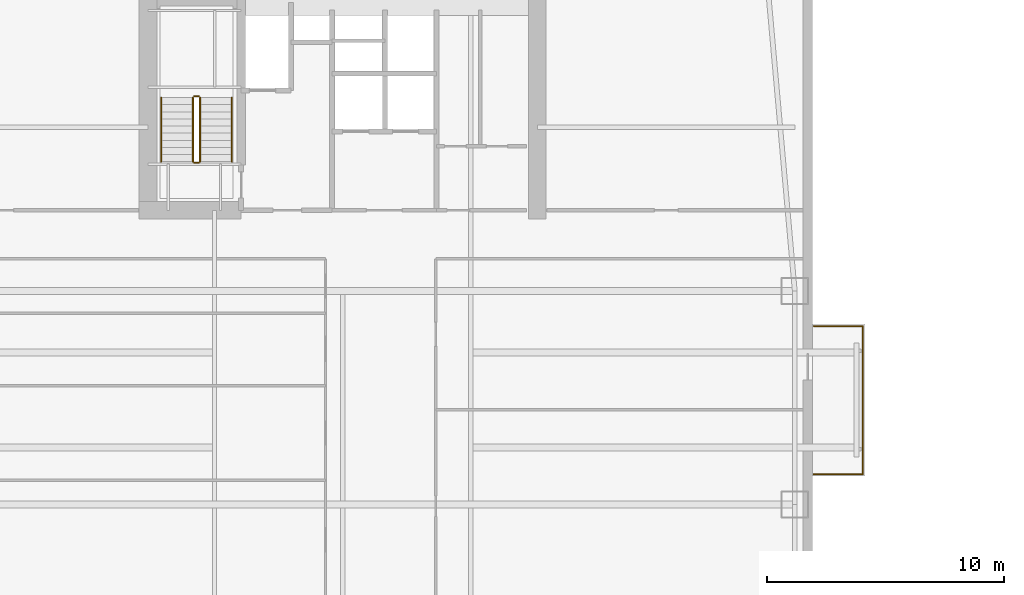
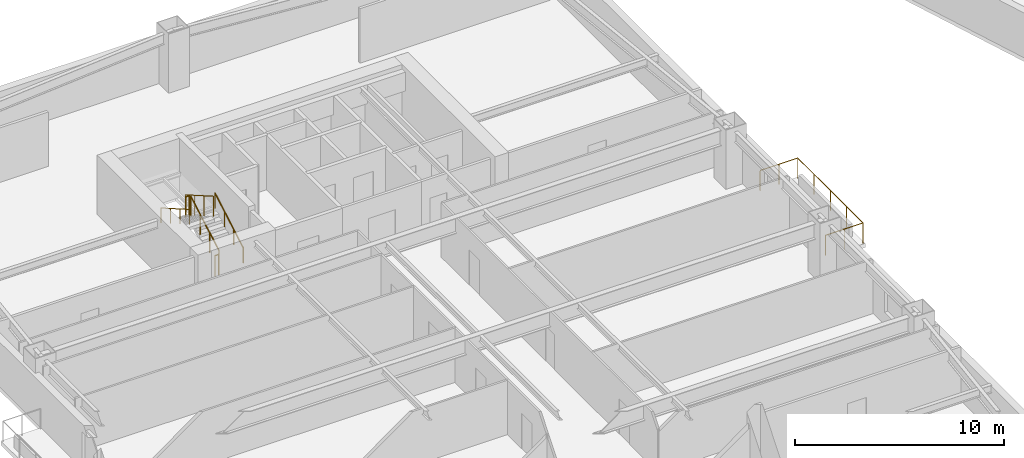
# One storey, part 13 of 15: 7 railings.
"""IFC4 building model written with IfcOpenShell, lengths in metres."""

from ifc_helpers import new_model, si_unit, direction, frame, origin, origin_2d, place, context, subcontext, project, spatial, circle, extrude, material, type_object, element, save


model = new_model("IFC4")

# Units and contexts
model_context = context("Model", 3, precision=1e-05, world=origin(), true_north=direction((0.0, 1.0)))
body_context = subcontext(model_context, "Body", "Model", "MODEL_VIEW")
ifc_project = project(units=[si_unit("LENGTHUNIT", "METRE"), si_unit("AREAUNIT", "SQUARE_METRE"), si_unit("VOLUMEUNIT", "CUBIC_METRE"), si_unit("PLANEANGLEUNIT", "RADIAN"), si_unit("MASSUNIT", "GRAM", prefix="KILO")], contexts=[model_context])

# Site, building, storey
site_placement = place(None, origin())
site = spatial("IfcSite", under=ifc_project, at=site_placement, CompositionType="ELEMENT")
building_placement = place(site_placement, origin())
building = spatial("IfcBuilding", under=site, at=building_placement, Name="Qiaolan Cultural Towers", CompositionType="ELEMENT")
storey_placement = place(building_placement, frame((0.0, 0.0, 50.60009765625)))
storey = spatial("IfcBuildingStorey", under=building, at=storey_placement, Name="L11", CompositionType="ELEMENT", Elevation=50.60009765625)

# Railings
ifc_material_1 = material(Name="Laminated SentryGlas & Stainless Steel S31608 Balustrade", Category="steel")
railing_type_1 = type_object("IfcRailingType", Name="GRD-TERR-1200", PredefinedType="BALUSTRADE", material=ifc_material_1)
railing_1_placement = place(storey_placement, frame((49.85009765625, 35.280029296875, 0.0)))
element("IfcRailing", 1, at=railing_1_placement, inside=storey, type_object=railing_type_1, Name="L11 T1 Tree Balcony Guardrail E", PredefinedType="BALUSTRADE", context=body_context, shape_type="SweptSolid", body=[
    extrude(circle(Radius=0.02392578125, at=origin_2d()), frame((0.0, 0.0, 1.17578125), z_axis=(1.0, 0.0, 0.0), x_axis=(0.0, 1.0, 0.0)), (0.0, 0.0, 1.0), 2.06982421875),
    extrude(circle(Radius=0.02392578125, at=origin_2d()), frame((2.06982421875, 0.0, 1.17578125), z_axis=(0.0, 1.0, 0.0), x_axis=(-1.0, 0.0, 0.0)), (0.0, 0.0, 1.0), 6.239990234375),
    extrude(circle(Radius=0.02392578125, at=origin_2d()), frame((2.06982421875, 6.239990234375, 1.17578125), z_axis=(-1.0, 0.0, 0.0), x_axis=(0.0, -1.0, 0.0)), (0.0, 0.0, 1.0), 2.06982421875),
    extrude(circle(Radius=0.02099609375, at=origin_2d()), origin(), (0.0, 0.0, 1.0), 1.15185546875),
    extrude(circle(Radius=0.02099609375, at=origin_2d()), frame((1.034912109375, 0.0, 0.0)), (0.0, 0.0, 1.0), 1.15185546875),
    extrude(circle(Radius=0.02099609375, at=origin_2d()), frame((2.06982421875, 0.0, 0.0)), (0.0, 0.0, 1.0), 1.15185546875),
    extrude(circle(Radius=0.02099609375, at=origin_2d()), frame((2.06982421875, 1.56005859375, 0.0)), (0.0, 0.0, 1.0), 1.15185546875),
    extrude(circle(Radius=0.02099609375, at=origin_2d()), frame((2.06982421875, 3.1201171875, 0.0)), (0.0, 0.0, 1.0), 1.15185546875),
    extrude(circle(Radius=0.02099609375, at=origin_2d()), frame((2.06982421875, 4.679931640625, 0.0)), (0.0, 0.0, 1.0), 1.15185546875),
    extrude(circle(Radius=0.02099609375, at=origin_2d()), frame((2.06982421875, 6.239990234375, 0.0)), (0.0, 0.0, 1.0), 1.15185546875),
    extrude(circle(Radius=0.02099609375, at=origin_2d()), frame((1.034912109375, 6.239990234375, 0.0)), (0.0, 0.0, 1.0), 1.15185546875),
    extrude(circle(Radius=0.02099609375, at=origin_2d()), frame((0.0, 6.239990234375, 0.0)), (0.0, 0.0, 1.0), 1.15185546875),
])
ifc_material_2 = material(Name="Galvanized Painted Steel Stair Guardrail", Category="steel")
railing_type_2 = type_object("IfcRailingType", Name="RL-STAIR-GRD", PredefinedType="GUARDRAIL", material=ifc_material_2)
railing_2_placement = place(storey_placement, frame((23.989990234375, 48.449951171875, 0.17236328125)))
element("IfcRailing", 2, at=railing_2_placement, inside=storey, type_object=railing_type_2, Name="L11 ST-W2 stair guard 1", PredefinedType="GUARDRAIL", context=body_context, shape_type="SweptSolid", body=[
    extrude(circle(Radius=0.02392578125, at=origin_2d()), frame((0.0, 0.0, 1.17578125), z_axis=(0.0, 0.866903762492, 0.498475542607), x_axis=(-1.0, 0.0, 0.0)), (0.0, 0.0, 1.0), 3.114501953125),
    extrude(circle(Radius=0.02099609375, at=origin_2d()), origin(), (0.0, 0.0, 1.0), 1.15185546875),
    extrude(circle(Radius=0.02099609375, at=origin_2d()), frame((0.0, 0.89990234375, 0.517578125)), (0.0, 0.0, 1.0), 1.15185546875),
    extrude(circle(Radius=0.02099609375, at=origin_2d()), frame((0.0, 1.800048828125, 1.034912109375)), (0.0, 0.0, 1.0), 1.15185546875),
    extrude(circle(Radius=0.02099609375, at=origin_2d()), frame((0.0, 2.699951171875, 1.552490234375)), (0.0, 0.0, 1.0), 1.15185546875),
])
railing_3_placement = place(storey_placement, frame((23.93994140625, 51.199951171875, 1.724853515625)))
element("IfcRailing", 3, at=railing_3_placement, inside=storey, type_object=railing_type_2, Name="L11 ST-W2 stair guard 2", PredefinedType="GUARDRAIL", context=body_context, shape_type="SweptSolid", body=[
    extrude(circle(Radius=0.02392578125, at=origin_2d()), frame((0.0, 0.0, 1.17578125), z_axis=(-1.0, 0.0, 0.0), x_axis=(0.0, -1.0, 0.0)), (0.0, 0.0, 1.0), 0.199951171875),
    extrude(circle(Radius=0.02099609375, at=origin_2d()), origin(), (0.0, 0.0, 1.0), 1.15185546875),
    extrude(circle(Radius=0.02099609375, at=origin_2d()), frame((-0.199951171875, 0.0, 0.0)), (0.0, 0.0, 1.0), 1.15185546875),
])
railing_4_placement = place(storey_placement, frame((23.68994140625, 51.14990234375, 1.8974609375)))
element("IfcRailing", 4, at=railing_4_placement, inside=storey, type_object=railing_type_2, Name="L11 ST-W2 stair guard 3", PredefinedType="GUARDRAIL", context=body_context, shape_type="SweptSolid", body=[
    extrude(circle(Radius=0.02392578125, at=origin_2d()), frame((0.0, 0.0, 1.17578125), z_axis=(0.0, -0.866903762492, 0.498475542607), x_axis=(1.0, 0.0, 0.0)), (0.0, 0.0, 1.0), 3.114501953125),
    extrude(circle(Radius=0.02099609375, at=origin_2d()), origin(), (0.0, 0.0, 1.0), 1.15185546875),
    extrude(circle(Radius=0.02099609375, at=origin_2d()), frame((0.0, -0.89990234375, 0.517578125)), (0.0, 0.0, 1.0), 1.15185546875),
    extrude(circle(Radius=0.02099609375, at=origin_2d()), frame((0.0, -1.800048828125, 1.034912109375)), (0.0, 0.0, 1.0), 1.15185546875),
    extrude(circle(Radius=0.02099609375, at=origin_2d()), frame((0.0, -2.699951171875, 1.552490234375)), (0.0, 0.0, 1.0), 1.15185546875),
])
railing_5_placement = place(storey_placement, frame((23.93994140625, 48.39990234375, 0.0)))
element("IfcRailing", 5, at=railing_5_placement, inside=storey, type_object=railing_type_2, Name="L11 ST-W2 stair guard 4", PredefinedType="GUARDRAIL", context=body_context, shape_type="SweptSolid", body=[
    extrude(circle(Radius=0.02392578125, at=origin_2d()), frame((0.0, 0.0, 1.17578125), z_axis=(-1.0, 0.0, 0.0), x_axis=(0.0, -1.0, 0.0)), (0.0, 0.0, 1.0), 0.199951171875),
    extrude(circle(Radius=0.02099609375, at=origin_2d()), origin(), (0.0, 0.0, 1.0), 1.15185546875),
    extrude(circle(Radius=0.02099609375, at=origin_2d()), frame((-0.199951171875, 0.0, 0.0)), (0.0, 0.0, 1.0), 1.15185546875),
])
ifc_material_3 = material(Name="Stainless Steel S30408 Tubular Handrail", Category="steel")
railing_type_3 = type_object("IfcRailingType", Name="RL-STAIR-HR", PredefinedType="HANDRAIL", material=ifc_material_3)
railing_6_placement = place(storey_placement, frame((25.330078125, 48.449951171875, 0.17236328125)))
element("IfcRailing", 6, at=railing_6_placement, inside=storey, type_object=railing_type_3, Name="L11 ST-W2 stair handrail 1", PredefinedType="HANDRAIL", context=body_context, shape_type="SweptSolid", body=[
    extrude(circle(Radius=0.02392578125, at=origin_2d()), frame((0.0, 0.0, 0.8759765625), z_axis=(0.0, 0.866903762492, 0.498475542607), x_axis=(-1.0, 0.0, 0.0)), (0.0, 0.0, 1.0), 3.114501953125),
    extrude(circle(Radius=0.02099609375, at=origin_2d()), origin(), (0.0, 0.0, 1.0), 0.851806640625),
    extrude(circle(Radius=0.02099609375, at=origin_2d()), frame((0.0, 0.89990234375, 0.517578125)), (0.0, 0.0, 1.0), 0.851806640625),
    extrude(circle(Radius=0.02099609375, at=origin_2d()), frame((0.0, 1.800048828125, 1.034912109375)), (0.0, 0.0, 1.0), 0.851806640625),
    extrude(circle(Radius=0.02099609375, at=origin_2d()), frame((0.0, 2.699951171875, 1.552490234375)), (0.0, 0.0, 1.0), 0.851806640625),
])
railing_7_placement = place(storey_placement, frame((22.35009765625, 51.14990234375, 1.8974609375)))
element("IfcRailing", 7, at=railing_7_placement, inside=storey, type_object=railing_type_3, Name="L11 ST-W2 stair handrail 2", PredefinedType="HANDRAIL", context=body_context, shape_type="SweptSolid", body=[
    extrude(circle(Radius=0.02392578125, at=origin_2d()), frame((0.0, 0.0, 0.8759765625), z_axis=(0.0, -0.866903762492, 0.498475542607), x_axis=(1.0, 0.0, 0.0)), (0.0, 0.0, 1.0), 3.114501953125),
    extrude(circle(Radius=0.02099609375, at=origin_2d()), origin(), (0.0, 0.0, 1.0), 0.851806640625),
    extrude(circle(Radius=0.02099609375, at=origin_2d()), frame((0.0, -0.89990234375, 0.517578125)), (0.0, 0.0, 1.0), 0.851806640625),
    extrude(circle(Radius=0.02099609375, at=origin_2d()), frame((0.0, -1.800048828125, 1.034912109375)), (0.0, 0.0, 1.0), 0.851806640625),
    extrude(circle(Radius=0.02099609375, at=origin_2d()), frame((0.0, -2.699951171875, 1.552490234375)), (0.0, 0.0, 1.0), 0.851806640625),
])

save(model, "model.ifc")
